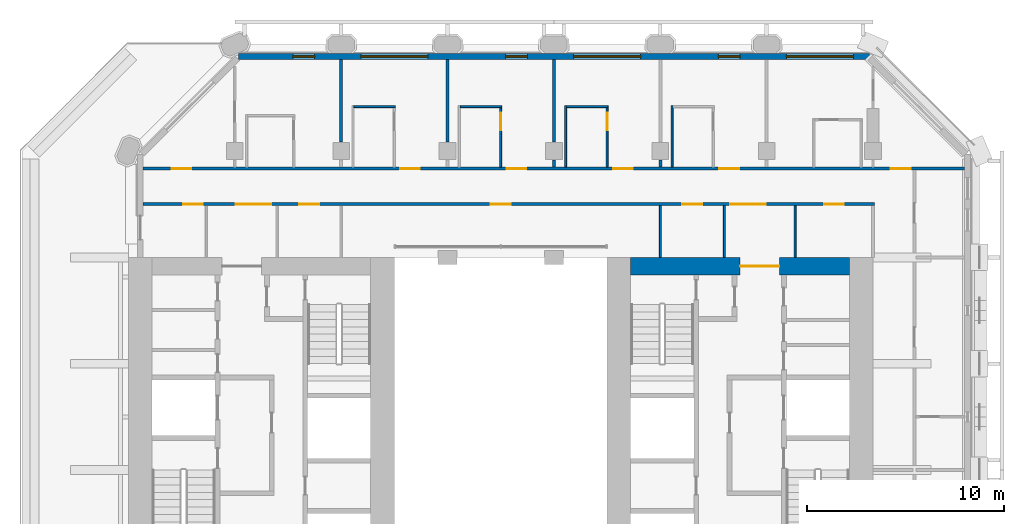
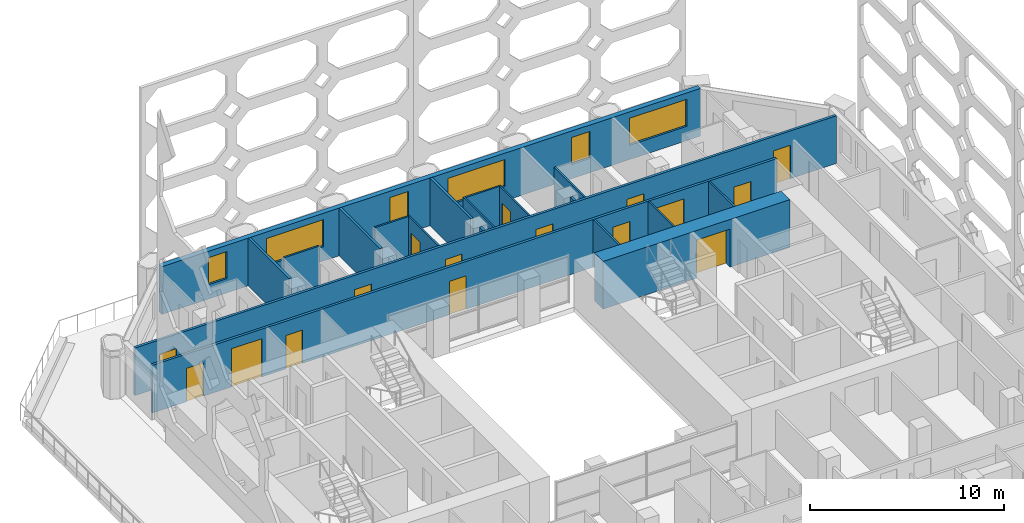
# One storey, part 11 of 16: 19 walls, 16 doors, 6 windows, 22 openings.
"""IFC4 building model written with IfcOpenShell, lengths in metres."""

from ifc_helpers import new_model, si_unit, direction, frame, frame_2d, origin, place, context, subcontext, project, spatial, rectangle, extrude, material, layer, layer_set, type_object, element, fill, save


model = new_model("IFC4")

# Units and contexts
model_context = context("Model", 3, precision=1e-05, world=origin(), true_north=direction((0.0, 1.0)))
body_context = subcontext(model_context, "Body", "Model", "MODEL_VIEW")
ifc_project = project(units=[si_unit("LENGTHUNIT", "METRE"), si_unit("AREAUNIT", "SQUARE_METRE"), si_unit("VOLUMEUNIT", "CUBIC_METRE"), si_unit("PLANEANGLEUNIT", "RADIAN"), si_unit("MASSUNIT", "GRAM", prefix="KILO")], contexts=[model_context])

# Site, building, storey
site_placement = place(None, origin())
site = spatial("IfcSite", under=ifc_project, at=site_placement, CompositionType="ELEMENT")
building_placement = place(site_placement, origin())
building = spatial("IfcBuilding", under=site, at=building_placement, Name="Tabaq Tower and Sports Hall", CompositionType="ELEMENT")
storey_placement = place(building_placement, frame((0.0, 0.0, 152.800048828125)))
storey = spatial("IfcBuildingStorey", under=building, at=storey_placement, Name="L35", CompositionType="ELEMENT", Elevation=152.800048828125)

# Wall, opening, door
ifc_material_1 = material(Name="Concrete C50/60", Category="concrete")
ifc_layer_1 = layer(ifc_material_1, 0.89990234375)
ifc_layer_set_1 = layer_set([ifc_layer_1], Name="Core wall 900 Concrete C50/60")
wall_type_1 = type_object("IfcWallType", Name="Core wall 900 Concrete C50/60", PredefinedType="SOLIDWALL", material=ifc_layer_set_1)
wall_1_placement = place(storey_placement, frame((30.89990234375, 31.949951171875, 0.0), z_axis=(0.0, 0.0, 1.0), x_axis=(1.0, 0.0, 0.0)))
wall_1 = element("IfcWall", 1, at=wall_1_placement, inside=storey, type_object=wall_type_1, Name="Core wall E L35", PredefinedType="SOLIDWALL", context=body_context, shape_type="SweptSolid", body=[
    extrude(rectangle(XDim=11.10009765625, YDim=0.89990234375, at=frame_2d((5.550048828125, 0.0))), origin(), (0.0, 0.0, 1.0), 3.0),
])
opening_1_placement = place(wall_1_placement, frame((5.550048828125, 0.0, 0.0)))
opening_1 = element("IfcOpeningElement", 2, at=opening_1_placement, cuts=wall_1, Name="Opening PD-EL35-02", PredefinedType="OPENING", context=body_context, shape_type="SweptSolid", body=[
    extrude(rectangle(XDim=2.0, YDim=2.39990234375, at=frame_2d((1.0, 1.199951171875))), frame((0.0, 0.449951171875, 0.0), z_axis=(0.0, -1.0, 0.0), x_axis=(1.0, 0.0, 0.0)), (0.0, 0.0, 1.0), 0.89990234375),
])
ifc_material_2 = material(Name="Steel fire door", Category="steel")
door_type_1 = type_object("IfcDoorType", Name="Core entrance door 2000", OperationType="DOUBLE_DOOR_SINGLE_SWING", PredefinedType="DOOR", material=ifc_material_2)
door_1_placement = place(opening_1_placement, origin())
door_1 = element("IfcDoor", 3, at=door_1_placement, inside=storey, type_object=door_type_1, Name="Core entrance north E L35", OperationType="DOUBLE_DOOR_SINGLE_SWING", OverallHeight=2.39990234375, OverallWidth=2.0, PredefinedType="DOOR", context=body_context, shape_type="SweptSolid", body=[
    extrude(rectangle(XDim=2.0, YDim=2.39990234375, at=frame_2d((1.0, 1.199951171875))), frame((0.0, 0.02490234375, 0.0), z_axis=(0.0, -1.0, 0.0), x_axis=(1.0, 0.0, 0.0)), (0.0, 0.0, 1.0), 0.050048828125),
])
fill(opening_1, door_1)

# Walls
ifc_material_3 = material(Name="Gypsum board on steel studs", Category="steel")
ifc_layer_2 = layer(ifc_material_3, 0.10009765625)
ifc_layer_set_2 = layer_set([ifc_layer_2], Name="Partition 100 Gypsum board")
wall_type_2 = type_object("IfcWallType", Name="Partition 100 Gypsum board", PredefinedType="PARTITIONING", material=ifc_layer_set_2)
wall_2_placement = place(storey_placement, frame((16.85009765625, 40.050048828125, 0.0), z_axis=(0.0, 0.0, 1.0), x_axis=(1.0, 0.0, 0.0)))
element("IfcWall", 4, at=wall_2_placement, inside=storey, type_object=wall_type_2, Name="Partition wall L35", PredefinedType="PARTITIONING", context=body_context, shape_type="SweptSolid", body=[
    extrude(rectangle(XDim=2.099853515625, YDim=0.10009765625, at=frame_2d((1.0498046875, 0.0))), origin(), (0.0, 0.0, 1.0), 3.0),
])
wall_3_placement = place(storey_placement, frame((22.25, 40.050048828125, 0.0), z_axis=(0.0, 0.0, 1.0), x_axis=(1.0, 0.0, 0.0)))
element("IfcWall", 5, at=wall_3_placement, inside=storey, type_object=wall_type_2, Name="Partition wall L35", PredefinedType="PARTITIONING", context=body_context, shape_type="SweptSolid", body=[
    extrude(rectangle(XDim=2.10009765625, YDim=0.10009765625, at=frame_2d((1.050048828125, 0.0))), origin(), (0.0, 0.0, 1.0), 3.0),
])

# Wall, opening, door
wall_4_placement = place(storey_placement, frame((24.300048828125, 40.0, 0.0), z_axis=(0.0, 0.0, 1.0), x_axis=(0.0, -1.0, 0.0)))
wall_4 = element("IfcWall", 6, at=wall_4_placement, inside=storey, type_object=wall_type_2, Name="Partition wall L35", PredefinedType="PARTITIONING", context=body_context, shape_type="SweptSolid", body=[
    extrude(rectangle(XDim=3.02490234375, YDim=0.10009765625, at=frame_2d((1.512451171875, 0.0))), origin(), (0.0, 0.0, 1.0), 3.0),
])
opening_2_placement = place(wall_4_placement, frame((0.25, 0.0, 0.0)))
opening_2 = element("IfcOpeningElement", 7, at=opening_2_placement, cuts=wall_4, Name="Opening L35-004", PredefinedType="OPENING", context=body_context, shape_type="SweptSolid", body=[
    extrude(rectangle(XDim=0.89990234375, YDim=2.10009765625, at=frame_2d((0.449951171875, 1.050048828125))), frame((0.0, 0.050048828125, 0.0), z_axis=(0.0, -1.0, 0.0), x_axis=(1.0, 0.0, 0.0)), (0.0, 0.0, 1.0), 0.10009765625),
])
ifc_material_4 = material(Name="Timber leaf in steel frame", Category="steel")
door_type_2 = type_object("IfcDoorType", Name="Internal door 900 right hand", OperationType="SINGLE_SWING_RIGHT", PredefinedType="DOOR", material=ifc_material_4)
door_2_placement = place(opening_2_placement, origin())
door_2 = element("IfcDoor", 8, at=door_2_placement, inside=storey, type_object=door_type_2, Name="Internal door L35-004", OperationType="SINGLE_SWING_RIGHT", OverallHeight=2.10009765625, OverallWidth=0.89990234375, PredefinedType="DOOR", context=body_context, shape_type="SweptSolid", body=[
    extrude(rectangle(XDim=0.89990234375, YDim=2.10009765625, at=frame_2d((0.449951171875, 1.050048828125))), frame((0.0, 0.02490234375, 0.0), z_axis=(0.0, -1.0, 0.0), x_axis=(1.0, 0.0, 0.0)), (0.0, 0.0, 1.0), 0.050048828125),
])
fill(opening_2, door_2)

# Walls
wall_5_placement = place(storey_placement, frame((27.60009765625, 36.97509765625, 0.0), z_axis=(0.0, 0.0, 1.0), x_axis=(0.0, 1.0, 0.0)))
element("IfcWall", 9, at=wall_5_placement, inside=storey, type_object=wall_type_2, Name="Partition wall L35", PredefinedType="PARTITIONING", context=body_context, shape_type="SweptSolid", body=[
    extrude(rectangle(XDim=3.125, YDim=0.10009765625, at=frame_2d((1.5625, 0.0))), origin(), (0.0, 0.0, 1.0), 3.0),
])
wall_6_placement = place(storey_placement, frame((27.64990234375, 40.050048828125, 0.0), z_axis=(0.0, 0.0, 1.0), x_axis=(1.0, 0.0, 0.0)))
element("IfcWall", 10, at=wall_6_placement, inside=storey, type_object=wall_type_2, Name="Partition wall L35", PredefinedType="PARTITIONING", context=body_context, shape_type="SweptSolid", body=[
    extrude(rectangle(XDim=2.10009765625, YDim=0.10009765625, at=frame_2d((1.050048828125, 0.0))), origin(), (0.0, 0.0, 1.0), 3.0),
])

# Wall, opening, door
wall_7_placement = place(storey_placement, frame((29.699951171875, 40.0, 0.0), z_axis=(0.0, 0.0, 1.0), x_axis=(0.0, -1.0, 0.0)))
wall_7 = element("IfcWall", 11, at=wall_7_placement, inside=storey, type_object=wall_type_2, Name="Partition wall L35", PredefinedType="PARTITIONING", context=body_context, shape_type="SweptSolid", body=[
    extrude(rectangle(XDim=3.02490234375, YDim=0.10009765625, at=frame_2d((1.512451171875, 0.0))), origin(), (0.0, 0.0, 1.0), 3.0),
])
opening_3_placement = place(wall_7_placement, frame((0.25, 0.0, 0.0)))
opening_3 = element("IfcOpeningElement", 12, at=opening_3_placement, cuts=wall_7, Name="Opening L35-005", PredefinedType="OPENING", context=body_context, shape_type="SweptSolid", body=[
    extrude(rectangle(XDim=0.89990234375, YDim=2.10009765625, at=frame_2d((0.449951171875, 1.050048828125))), frame((0.0, 0.050048828125, 0.0), z_axis=(0.0, -1.0, 0.0), x_axis=(1.0, 0.0, 0.0)), (0.0, 0.0, 1.0), 0.10009765625),
])
door_3_placement = place(opening_3_placement, origin())
door_3 = element("IfcDoor", 13, at=door_3_placement, inside=storey, type_object=door_type_2, Name="Internal door L35-005", OperationType="SINGLE_SWING_RIGHT", OverallHeight=2.10009765625, OverallWidth=0.89990234375, PredefinedType="DOOR", context=body_context, shape_type="SweptSolid", body=[
    extrude(rectangle(XDim=0.89990234375, YDim=2.10009765625, at=frame_2d((0.449951171875, 1.050048828125))), frame((0.0, 0.02490234375, 0.0), z_axis=(0.0, -1.0, 0.0), x_axis=(1.0, 0.0, 0.0)), (0.0, 0.0, 1.0), 0.050048828125),
])
fill(opening_3, door_3)

# Walls
wall_8_placement = place(storey_placement, frame((33.0, 36.97509765625, 0.0), z_axis=(0.0, 0.0, 1.0), x_axis=(0.0, 1.0, 0.0)))
element("IfcWall", 14, at=wall_8_placement, inside=storey, type_object=wall_type_2, Name="Partition wall L35", PredefinedType="PARTITIONING", context=body_context, shape_type="SweptSolid", body=[
    extrude(rectangle(XDim=3.125, YDim=0.10009765625, at=frame_2d((1.5625, 0.0))), origin(), (0.0, 0.0, 1.0), 3.0),
])
for number, where, z_axis, x_axis, name in (
    (15, (32.39990234375, 32.39990234375, 0.0), (0.0, 0.0, 1.0), (0.0, 1.0, 0.0), "Partition wall L35"),
    (16, (39.25, 32.39990234375, 0.0), (0.0, 0.0, 1.0), (0.0, 1.0, 0.0), "Partition wall L35"),
    (17, (35.64990234375, 35.02490234375, 0.0), (0.0, 0.0, 1.0), (0.0, -1.0, 0.0), "Partition wall L35"),
):
    element("IfcWall", number, at=place(storey_placement, frame(where, z_axis=z_axis, x_axis=x_axis)), inside=storey, type_object=wall_type_2, Name=name, PredefinedType="PARTITIONING", context=body_context, shape_type="SweptSolid", body=[
        extrude(rectangle(XDim=2.625, YDim=0.10009765625, at=frame_2d((1.3125, 0.0))), origin(), (0.0, 0.0, 1.0), 3.0),
    ])
ifc_material_5 = material(Name="Blockwork", Category="masonry")
ifc_layer_3 = layer(ifc_material_5, 0.14990234375)
ifc_layer_set_3 = layer_set([ifc_layer_3], Name="Separating wall 150 Blockwork")
wall_type_3 = type_object("IfcWallType", Name="Separating wall 150 Blockwork", PredefinedType="PARTITIONING", material=ifc_layer_set_3)
for number, where, z_axis, x_axis, name in (
    (18, (16.199951171875, 38.2451171875, 0.0), (0.0, 0.0, 1.0), (0.0, 1.0, 0.0), "Separating wall L35"),
    (19, (21.60009765625, 38.2451171875, 0.0), (0.0, 0.0, 1.0), (0.0, 1.0, 0.0), "Separating wall L35"),
):
    element("IfcWall", number, at=place(storey_placement, frame(where, z_axis=z_axis, x_axis=x_axis)), inside=storey, type_object=wall_type_3, Name=name, PredefinedType="PARTITIONING", context=body_context, shape_type="SweptSolid", body=[
        extrude(rectangle(XDim=4.203857421875, YDim=0.14990234375, at=frame_2d((2.10205078125, 0.0))), origin(), (0.0, 0.0, 1.0), 3.0),
    ])
wall_9_placement = place(storey_placement, frame((27.0, 36.97509765625, 0.0), z_axis=(0.0, 0.0, 1.0), x_axis=(0.0, 1.0, 0.0)))
element("IfcWall", 20, at=wall_9_placement, inside=storey, type_object=wall_type_3, Name="Separating wall L35", PredefinedType="PARTITIONING", context=body_context, shape_type="SweptSolid", body=[
    extrude(rectangle(XDim=0.3798828125, YDim=0.14990234375, at=frame_2d((0.18994140625, 0.0))), origin(), (0.0, 0.0, 1.0), 3.0),
])
wall_10_placement = place(storey_placement, frame((27.0, 38.2451171875, 0.0), z_axis=(0.0, 0.0, 1.0), x_axis=(0.0, 1.0, 0.0)))
element("IfcWall", 21, at=wall_10_placement, inside=storey, type_object=wall_type_3, Name="Separating wall L35", PredefinedType="PARTITIONING", context=body_context, shape_type="SweptSolid", body=[
    extrude(rectangle(XDim=4.203857421875, YDim=0.14990234375, at=frame_2d((2.10205078125, 0.0))), origin(), (0.0, 0.0, 1.0), 3.0),
])
wall_11_placement = place(storey_placement, frame((32.39990234375, 36.97509765625, 0.0), z_axis=(0.0, 0.0, 1.0), x_axis=(0.0, 1.0, 0.0)))
element("IfcWall", 22, at=wall_11_placement, inside=storey, type_object=wall_type_3, Name="Separating wall L35", PredefinedType="PARTITIONING", context=body_context, shape_type="SweptSolid", body=[
    extrude(rectangle(XDim=0.3798828125, YDim=0.14990234375, at=frame_2d((0.18994140625, 0.0))), origin(), (0.0, 0.0, 1.0), 3.0),
])

# Wall, openings, doors
wall_12_placement = place(storey_placement, frame((47.84912109375, 36.89990234375, 0.0), z_axis=(0.0, 0.0, 1.0), x_axis=(-1.0, 0.0, 0.0)))
wall_12 = element("IfcWall", 23, at=wall_12_placement, inside=storey, type_object=wall_type_3, Name="Separating wall L35", PredefinedType="PARTITIONING", context=body_context, shape_type="SweptSolid", body=[
    extrude(rectangle(XDim=41.6982421875, YDim=0.14990234375, at=frame_2d((20.84912109375, 0.0))), origin(), (0.0, 0.0, 1.0), 3.0),
])
opening_4_placement = place(wall_12_placement, frame((27.64892578125, 0.0, 0.0)))
opening_4 = element("IfcOpeningElement", 24, at=opening_4_placement, cuts=wall_12, Name="Opening L35-030", PredefinedType="OPENING", context=body_context, shape_type="SweptSolid", body=[
    extrude(rectangle(XDim=1.0, YDim=2.10009765625, at=frame_2d((0.5, 1.050048828125))), frame((0.0, 0.074951171875, 0.0), z_axis=(0.0, -1.0, 0.0), x_axis=(1.0, 0.0, 0.0)), (0.0, 0.0, 1.0), 0.14990234375),
])
opening_5_placement = place(wall_12_placement, frame((22.2490234375, 0.0, 0.0)))
opening_5 = element("IfcOpeningElement", 25, at=opening_5_placement, cuts=wall_12, Name="Opening L35-031", PredefinedType="OPENING", context=body_context, shape_type="SweptSolid", body=[
    extrude(rectangle(XDim=1.0, YDim=2.10009765625, at=frame_2d((0.5, 1.050048828125))), frame((0.0, 0.074951171875, 0.0), z_axis=(0.0, -1.0, 0.0), x_axis=(1.0, 0.0, 0.0)), (0.0, 0.0, 1.0), 0.14990234375),
])
opening_6_placement = place(wall_12_placement, frame((16.84912109375, 0.0, 0.0)))
opening_6 = element("IfcOpeningElement", 26, at=opening_6_placement, cuts=wall_12, Name="Opening L35-032", PredefinedType="OPENING", context=body_context, shape_type="SweptSolid", body=[
    extrude(rectangle(XDim=1.0, YDim=2.10009765625, at=frame_2d((0.5, 1.050048828125))), frame((0.0, 0.074951171875, 0.0), z_axis=(0.0, -1.0, 0.0), x_axis=(1.0, 0.0, 0.0)), (0.0, 0.0, 1.0), 0.14990234375),
])
opening_7_placement = place(wall_12_placement, frame((11.448974609375, 0.0, 0.0)))
opening_7 = element("IfcOpeningElement", 27, at=opening_7_placement, cuts=wall_12, Name="Opening L35-033", PredefinedType="OPENING", context=body_context, shape_type="SweptSolid", body=[
    extrude(rectangle(XDim=1.0, YDim=2.10009765625, at=frame_2d((0.5, 1.050048828125))), frame((0.0, 0.074951171875, 0.0), z_axis=(0.0, -1.0, 0.0), x_axis=(1.0, 0.0, 0.0)), (0.0, 0.0, 1.0), 0.14990234375),
])
opening_8_placement = place(wall_12_placement, frame((2.743896484375, 0.0, 0.0)))
opening_8 = element("IfcOpeningElement", 28, at=opening_8_placement, cuts=wall_12, Name="Opening L35-035", PredefinedType="OPENING", context=body_context, shape_type="SweptSolid", body=[
    extrude(rectangle(XDim=1.0, YDim=2.10009765625, at=frame_2d((0.5, 1.050048828125))), frame((0.0, 0.074951171875, 0.0), z_axis=(0.0, -1.0, 0.0), x_axis=(1.0, 0.0, 0.0)), (0.0, 0.0, 1.0), 0.14990234375),
])
opening_9_placement = place(wall_12_placement, frame((39.2490234375, 0.0, 0.0)))
opening_9 = element("IfcOpeningElement", 29, at=opening_9_placement, cuts=wall_12, Name="Opening L35-054", PredefinedType="OPENING", context=body_context, shape_type="SweptSolid", body=[
    extrude(rectangle(XDim=1.0, YDim=2.10009765625, at=frame_2d((0.5, 1.050048828125))), frame((0.0, 0.074951171875, 0.0), z_axis=(0.0, -1.0, 0.0), x_axis=(1.0, 0.0, 0.0)), (0.0, 0.0, 1.0), 0.14990234375),
])
ifc_material_6 = material(Name="Steel fire door", Category="steel")
door_type_3 = type_object("IfcDoorType", Name="Entrance door 1000 left hand", OperationType="SINGLE_SWING_LEFT", PredefinedType="DOOR", material=ifc_material_6)
door_4_placement = place(opening_6_placement, origin())
door_4 = element("IfcDoor", 30, at=door_4_placement, inside=storey, type_object=door_type_3, Name="Entrance door L35-032", OperationType="SINGLE_SWING_LEFT", OverallHeight=2.10009765625, OverallWidth=1.0, PredefinedType="DOOR", context=body_context, shape_type="SweptSolid", body=[
    extrude(rectangle(XDim=1.0, YDim=2.10009765625, at=frame_2d((0.5, 1.050048828125))), frame((0.0, 0.02490234375, 0.0), z_axis=(0.0, -1.0, 0.0), x_axis=(1.0, 0.0, 0.0)), (0.0, 0.0, 1.0), 0.050048828125),
])
fill(opening_6, door_4)
door_5_placement = place(opening_7_placement, origin())
door_5 = element("IfcDoor", 31, at=door_5_placement, inside=storey, type_object=door_type_3, Name="Entrance door L35-033", OperationType="SINGLE_SWING_LEFT", OverallHeight=2.10009765625, OverallWidth=1.0, PredefinedType="DOOR", context=body_context, shape_type="SweptSolid", body=[
    extrude(rectangle(XDim=1.0, YDim=2.10009765625, at=frame_2d((0.5, 1.050048828125))), frame((0.0, 0.02490234375, 0.0), z_axis=(0.0, -1.0, 0.0), x_axis=(1.0, 0.0, 0.0)), (0.0, 0.0, 1.0), 0.050048828125),
])
fill(opening_7, door_5)
door_6_placement = place(opening_8_placement, origin())
door_6 = element("IfcDoor", 32, at=door_6_placement, inside=storey, type_object=door_type_3, Name="Entrance door L35-035", OperationType="SINGLE_SWING_LEFT", OverallHeight=2.10009765625, OverallWidth=1.0, PredefinedType="DOOR", context=body_context, shape_type="SweptSolid", body=[
    extrude(rectangle(XDim=1.0, YDim=2.10009765625, at=frame_2d((0.5, 1.050048828125))), frame((0.0, 0.02490234375, 0.0), z_axis=(0.0, -1.0, 0.0), x_axis=(1.0, 0.0, 0.0)), (0.0, 0.0, 1.0), 0.050048828125),
])
fill(opening_8, door_6)
ifc_material_7 = material(Name="Steel fire door", Category="steel")
door_type_4 = type_object("IfcDoorType", Name="Entrance door 1000 right hand", OperationType="SINGLE_SWING_RIGHT", PredefinedType="DOOR", material=ifc_material_7)
door_7_placement = place(opening_4_placement, origin())
door_7 = element("IfcDoor", 33, at=door_7_placement, inside=storey, type_object=door_type_4, Name="Entrance door L35-030", OperationType="SINGLE_SWING_RIGHT", OverallHeight=2.10009765625, OverallWidth=1.0, PredefinedType="DOOR", context=body_context, shape_type="SweptSolid", body=[
    extrude(rectangle(XDim=1.0, YDim=2.10009765625, at=frame_2d((0.5, 1.050048828125))), frame((0.0, 0.02490234375, 0.0), z_axis=(0.0, -1.0, 0.0), x_axis=(1.0, 0.0, 0.0)), (0.0, 0.0, 1.0), 0.050048828125),
])
fill(opening_4, door_7)
door_8_placement = place(opening_5_placement, origin())
door_8 = element("IfcDoor", 34, at=door_8_placement, inside=storey, type_object=door_type_4, Name="Entrance door L35-031", OperationType="SINGLE_SWING_RIGHT", OverallHeight=2.10009765625, OverallWidth=1.0, PredefinedType="DOOR", context=body_context, shape_type="SweptSolid", body=[
    extrude(rectangle(XDim=1.0, YDim=2.10009765625, at=frame_2d((0.5, 1.050048828125))), frame((0.0, 0.02490234375, 0.0), z_axis=(0.0, -1.0, 0.0), x_axis=(1.0, 0.0, 0.0)), (0.0, 0.0, 1.0), 0.050048828125),
])
fill(opening_5, door_8)
door_9_placement = place(opening_9_placement, origin())
door_9 = element("IfcDoor", 35, at=door_9_placement, inside=storey, type_object=door_type_4, Name="Entrance door L35-054", OperationType="SINGLE_SWING_RIGHT", OverallHeight=2.10009765625, OverallWidth=1.0, PredefinedType="DOOR", context=body_context, shape_type="SweptSolid", body=[
    extrude(rectangle(XDim=1.0, YDim=2.10009765625, at=frame_2d((0.5, 1.050048828125))), frame((0.0, 0.02490234375, 0.0), z_axis=(0.0, -1.0, 0.0), x_axis=(1.0, 0.0, 0.0)), (0.0, 0.0, 1.0), 0.050048828125),
])
fill(opening_9, door_9)

wall_13_placement = place(storey_placement, frame((43.27490234375, 35.10009765625, 0.0), z_axis=(0.0, 0.0, 1.0), x_axis=(-1.0, 0.0, 0.0)))
wall_13 = element("IfcWall", 36, at=wall_13_placement, inside=storey, type_object=wall_type_3, Name="Separating wall L35", PredefinedType="PARTITIONING", context=body_context, shape_type="SweptSolid", body=[
    extrude(rectangle(XDim=37.1240234375, YDim=0.14990234375, at=frame_2d((18.56201171875, 0.0))), origin(), (0.0, 0.0, 1.0), 3.0),
])
opening_10_placement = place(wall_13_placement, frame((18.47509765625, 0.0, 0.0)))
opening_10 = element("IfcOpeningElement", 37, at=opening_10_placement, cuts=wall_13, Name="Opening L35-008", PredefinedType="OPENING", context=body_context, shape_type="SweptSolid", body=[
    extrude(rectangle(XDim=1.0, YDim=2.10009765625, at=frame_2d((0.5, 1.050048828125))), frame((0.0, 0.074951171875, 0.0), z_axis=(0.0, -1.0, 0.0), x_axis=(1.0, 0.0, 0.0)), (0.0, 0.0, 1.0), 0.14990234375),
])
opening_11_placement = place(wall_13_placement, frame((34.094970703125, 0.0, 0.0)))
opening_11 = element("IfcOpeningElement", 38, at=opening_11_placement, cuts=wall_13, Name="Opening L35-010", PredefinedType="OPENING", context=body_context, shape_type="SweptSolid", body=[
    extrude(rectangle(XDim=1.0, YDim=2.10009765625, at=frame_2d((0.5, 1.050048828125))), frame((0.0, 0.074951171875, 0.0), z_axis=(0.0, -1.0, 0.0), x_axis=(1.0, 0.0, 0.0)), (0.0, 0.0, 1.0), 0.14990234375),
])
opening_12_placement = place(wall_13_placement, frame((8.75, 0.0, 0.0)))
opening_12 = element("IfcOpeningElement", 39, at=opening_12_placement, cuts=wall_13, Name="Opening L35-011", PredefinedType="OPENING", context=body_context, shape_type="SweptSolid", body=[
    extrude(rectangle(XDim=1.0, YDim=2.10009765625, at=frame_2d((0.5, 1.050048828125))), frame((0.0, 0.074951171875, 0.0), z_axis=(0.0, -1.0, 0.0), x_axis=(1.0, 0.0, 0.0)), (0.0, 0.0, 1.0), 0.14990234375),
])
opening_13_placement = place(wall_13_placement, frame((1.550048828125, 0.0, 0.0)))
opening_13 = element("IfcOpeningElement", 40, at=opening_13_placement, cuts=wall_13, Name="Opening L35-012", PredefinedType="OPENING", context=body_context, shape_type="SweptSolid", body=[
    extrude(rectangle(XDim=1.0, YDim=2.10009765625, at=frame_2d((0.5, 1.050048828125))), frame((0.0, 0.074951171875, 0.0), z_axis=(0.0, -1.0, 0.0), x_axis=(1.0, 0.0, 0.0)), (0.0, 0.0, 1.0), 0.14990234375),
])
opening_14_placement = place(wall_13_placement, frame((28.199951171875, 0.0, 0.0)))
opening_14 = element("IfcOpeningElement", 41, at=opening_14_placement, cuts=wall_13, Name="Opening L35-013", PredefinedType="OPENING", context=body_context, shape_type="SweptSolid", body=[
    extrude(rectangle(XDim=1.0, YDim=2.10009765625, at=frame_2d((0.5, 1.050048828125))), frame((0.0, 0.074951171875, 0.0), z_axis=(0.0, -1.0, 0.0), x_axis=(1.0, 0.0, 0.0)), (0.0, 0.0, 1.0), 0.14990234375),
])
opening_15_placement = place(wall_13_placement, frame((30.625, 0.0, 0.0)))
opening_15 = element("IfcOpeningElement", 42, at=opening_15_placement, cuts=wall_13, Name="Opening L35-037", PredefinedType="OPENING", context=body_context, shape_type="SweptSolid", body=[
    extrude(rectangle(XDim=1.800048828125, YDim=2.39990234375, at=frame_2d((0.89990234375, 1.199951171875))), frame((0.0, 0.074951171875, 0.0), z_axis=(0.0, -1.0, 0.0), x_axis=(1.0, 0.0, 0.0)), (0.0, 0.0, 1.0), 0.14990234375),
])
opening_16_placement = place(wall_13_placement, frame((5.52490234375, 0.0, 0.0)))
opening_16 = element("IfcOpeningElement", 43, at=opening_16_placement, cuts=wall_13, Name="Opening L35-038", PredefinedType="OPENING", context=body_context, shape_type="SweptSolid", body=[
    extrude(rectangle(XDim=1.800048828125, YDim=2.39990234375, at=frame_2d((0.89990234375, 1.199951171875))), frame((0.0, 0.074951171875, 0.0), z_axis=(0.0, -1.0, 0.0), x_axis=(1.0, 0.0, 0.0)), (0.0, 0.0, 1.0), 0.14990234375),
])
ifc_material_8 = material(Name="Timber leaf in steel frame", Category="steel")
door_type_5 = type_object("IfcDoorType", Name="Internal door 1000 left hand", OperationType="SINGLE_SWING_LEFT", PredefinedType="DOOR", material=ifc_material_8)
door_10_placement = place(opening_11_placement, origin())
door_10 = element("IfcDoor", 44, at=door_10_placement, inside=storey, type_object=door_type_5, Name="Internal door L35-010", OperationType="SINGLE_SWING_LEFT", OverallHeight=2.10009765625, OverallWidth=1.0, PredefinedType="DOOR", context=body_context, shape_type="SweptSolid", body=[
    extrude(rectangle(XDim=1.0, YDim=2.10009765625, at=frame_2d((0.5, 1.050048828125))), frame((0.0, 0.02490234375, 0.0), z_axis=(0.0, -1.0, 0.0), x_axis=(1.0, 0.0, 0.0)), (0.0, 0.0, 1.0), 0.050048828125),
])
fill(opening_11, door_10)
door_11_placement = place(opening_12_placement, origin())
door_11 = element("IfcDoor", 45, at=door_11_placement, inside=storey, type_object=door_type_5, Name="Internal door L35-011", OperationType="SINGLE_SWING_LEFT", OverallHeight=2.10009765625, OverallWidth=1.0, PredefinedType="DOOR", context=body_context, shape_type="SweptSolid", body=[
    extrude(rectangle(XDim=1.0, YDim=2.10009765625, at=frame_2d((0.5, 1.050048828125))), frame((0.0, 0.02490234375, 0.0), z_axis=(0.0, -1.0, 0.0), x_axis=(1.0, 0.0, 0.0)), (0.0, 0.0, 1.0), 0.050048828125),
])
fill(opening_12, door_11)
ifc_material_9 = material(Name="Timber leaf in steel frame", Category="steel")
door_type_6 = type_object("IfcDoorType", Name="Internal door 1000 right hand", OperationType="SINGLE_SWING_RIGHT", PredefinedType="DOOR", material=ifc_material_9)
door_12_placement = place(opening_10_placement, origin())
door_12 = element("IfcDoor", 46, at=door_12_placement, inside=storey, type_object=door_type_6, Name="Internal door L35-008", OperationType="SINGLE_SWING_RIGHT", OverallHeight=2.10009765625, OverallWidth=1.0, PredefinedType="DOOR", context=body_context, shape_type="SweptSolid", body=[
    extrude(rectangle(XDim=1.0, YDim=2.10009765625, at=frame_2d((0.5, 1.050048828125))), frame((0.0, 0.02490234375, 0.0), z_axis=(0.0, -1.0, 0.0), x_axis=(1.0, 0.0, 0.0)), (0.0, 0.0, 1.0), 0.050048828125),
])
fill(opening_10, door_12)
door_13_placement = place(opening_13_placement, origin())
door_13 = element("IfcDoor", 47, at=door_13_placement, inside=storey, type_object=door_type_6, Name="Internal door L35-012", OperationType="SINGLE_SWING_RIGHT", OverallHeight=2.10009765625, OverallWidth=1.0, PredefinedType="DOOR", context=body_context, shape_type="SweptSolid", body=[
    extrude(rectangle(XDim=1.0, YDim=2.10009765625, at=frame_2d((0.5, 1.050048828125))), frame((0.0, 0.02490234375, 0.0), z_axis=(0.0, -1.0, 0.0), x_axis=(1.0, 0.0, 0.0)), (0.0, 0.0, 1.0), 0.050048828125),
])
fill(opening_13, door_13)
door_14_placement = place(opening_14_placement, origin())
door_14 = element("IfcDoor", 48, at=door_14_placement, inside=storey, type_object=door_type_6, Name="Internal door L35-013", OperationType="SINGLE_SWING_RIGHT", OverallHeight=2.10009765625, OverallWidth=1.0, PredefinedType="DOOR", context=body_context, shape_type="SweptSolid", body=[
    extrude(rectangle(XDim=1.0, YDim=2.10009765625, at=frame_2d((0.5, 1.050048828125))), frame((0.0, 0.02490234375, 0.0), z_axis=(0.0, -1.0, 0.0), x_axis=(1.0, 0.0, 0.0)), (0.0, 0.0, 1.0), 0.050048828125),
])
fill(opening_14, door_14)
ifc_material_10 = material(Name="Timber leaf in steel frame", Category="steel")
door_type_7 = type_object("IfcDoorType", Name="Internal door 1800", OperationType="DOUBLE_DOOR_SINGLE_SWING", PredefinedType="DOOR", material=ifc_material_10)
door_15_placement = place(opening_15_placement, origin())
door_15 = element("IfcDoor", 49, at=door_15_placement, inside=storey, type_object=door_type_7, Name="Internal door L35-037", OperationType="DOUBLE_DOOR_SINGLE_SWING", OverallHeight=2.39990234375, OverallWidth=1.800048828125, PredefinedType="DOOR", context=body_context, shape_type="SweptSolid", body=[
    extrude(rectangle(XDim=1.800048828125, YDim=2.39990234375, at=frame_2d((0.89990234375, 1.199951171875))), frame((0.0, 0.02490234375, 0.0), z_axis=(0.0, -1.0, 0.0), x_axis=(1.0, 0.0, 0.0)), (0.0, 0.0, 1.0), 0.050048828125),
])
fill(opening_15, door_15)
door_16_placement = place(opening_16_placement, origin())
door_16 = element("IfcDoor", 50, at=door_16_placement, inside=storey, type_object=door_type_7, Name="Internal door L35-038", OperationType="DOUBLE_DOOR_SINGLE_SWING", OverallHeight=2.39990234375, OverallWidth=1.800048828125, PredefinedType="DOOR", context=body_context, shape_type="SweptSolid", body=[
    extrude(rectangle(XDim=1.800048828125, YDim=2.39990234375, at=frame_2d((0.89990234375, 1.199951171875))), frame((0.0, 0.02490234375, 0.0), z_axis=(0.0, -1.0, 0.0), x_axis=(1.0, 0.0, 0.0)), (0.0, 0.0, 1.0), 0.050048828125),
])
fill(opening_16, door_16)

# Wall, openings, windows
ifc_material_11 = material(Name="White precast concrete C60/75", Category="concrete")
ifc_layer_4 = layer(ifc_material_11, 0.300048828125)
ifc_layer_set_4 = layer_set([ifc_layer_4], Name="White precast concrete C60/75 external wall 300")
wall_type_4 = type_object("IfcWallType", Name="White precast concrete C60/75 external wall 300", PredefinedType="SOLIDWALL", material=ifc_layer_set_4)
wall_14_placement = place(storey_placement, frame((43.013671875, 42.60009765625, 0.0), z_axis=(0.0, 0.0, 1.0), x_axis=(-1.0, 0.0, 0.0)))
wall_14 = element("IfcWall", 51, at=wall_14_placement, inside=storey, type_object=wall_type_4, Name="External Wall L35 N", PredefinedType="SOLIDWALL", context=body_context, shape_type="SweptSolid", body=[
    extrude(rectangle(XDim=32.02734375, YDim=0.300048828125, at=frame_2d((16.013671875, 0.0))), origin(), (0.0, 0.0, 1.0), 3.0),
])
opening_17_placement = place(wall_14_placement, frame((0.813720703125, 0.0, 0.89990234375)))
opening_17 = element("IfcOpeningElement", 52, at=opening_17_placement, cuts=wall_14, Name="Opening W1A", PredefinedType="OPENING", context=body_context, shape_type="SweptSolid", body=[
    extrude(rectangle(XDim=3.39990234375, YDim=1.699951171875, at=frame_2d((1.699951171875, 0.85009765625))), frame((0.0, 0.16015625, 0.0), z_axis=(0.0, -1.0, 0.0), x_axis=(1.0, 0.0, 0.0)), (0.0, 0.0, 1.0), 0.320068359375),
])
opening_18_placement = place(wall_14_placement, frame((6.563720703125, 0.0, 0.89990234375)))
opening_18 = element("IfcOpeningElement", 53, at=opening_18_placement, cuts=wall_14, Name="Opening W1B", PredefinedType="OPENING", context=body_context, shape_type="SweptSolid", body=[
    extrude(rectangle(XDim=1.10009765625, YDim=1.699951171875, at=frame_2d((0.550048828125, 0.85009765625))), frame((0.0, 0.16015625, 0.0), z_axis=(0.0, -1.0, 0.0), x_axis=(1.0, 0.0, 0.0)), (0.0, 0.0, 1.0), 0.320068359375),
])
opening_19_placement = place(wall_14_placement, frame((11.613525390625, 0.0, 0.89990234375)))
opening_19 = element("IfcOpeningElement", 54, at=opening_19_placement, cuts=wall_14, Name="Opening W1A", PredefinedType="OPENING", context=body_context, shape_type="SweptSolid", body=[
    extrude(rectangle(XDim=3.39990234375, YDim=1.699951171875, at=frame_2d((1.699951171875, 0.85009765625))), frame((0.0, 0.16015625, 0.0), z_axis=(0.0, -1.0, 0.0), x_axis=(1.0, 0.0, 0.0)), (0.0, 0.0, 1.0), 0.320068359375),
])
opening_20_placement = place(wall_14_placement, frame((17.363525390625, 0.0, 0.89990234375)))
opening_20 = element("IfcOpeningElement", 55, at=opening_20_placement, cuts=wall_14, Name="Opening W1B", PredefinedType="OPENING", context=body_context, shape_type="SweptSolid", body=[
    extrude(rectangle(XDim=1.10009765625, YDim=1.699951171875, at=frame_2d((0.550048828125, 0.85009765625))), frame((0.0, 0.16015625, 0.0), z_axis=(0.0, -1.0, 0.0), x_axis=(1.0, 0.0, 0.0)), (0.0, 0.0, 1.0), 0.320068359375),
])
opening_21_placement = place(wall_14_placement, frame((22.41357421875, 0.0, 0.89990234375)))
opening_21 = element("IfcOpeningElement", 56, at=opening_21_placement, cuts=wall_14, Name="Opening W1A", PredefinedType="OPENING", context=body_context, shape_type="SweptSolid", body=[
    extrude(rectangle(XDim=3.39990234375, YDim=1.699951171875, at=frame_2d((1.699951171875, 0.85009765625))), frame((0.0, 0.16015625, 0.0), z_axis=(0.0, -1.0, 0.0), x_axis=(1.0, 0.0, 0.0)), (0.0, 0.0, 1.0), 0.320068359375),
])
opening_22_placement = place(wall_14_placement, frame((28.16357421875, 0.0, 0.89990234375)))
opening_22 = element("IfcOpeningElement", 57, at=opening_22_placement, cuts=wall_14, Name="Opening W1B", PredefinedType="OPENING", context=body_context, shape_type="SweptSolid", body=[
    extrude(rectangle(XDim=1.10009765625, YDim=1.699951171875, at=frame_2d((0.550048828125, 0.85009765625))), frame((0.0, 0.16015625, 0.0), z_axis=(0.0, -1.0, 0.0), x_axis=(1.0, 0.0, 0.0)), (0.0, 0.0, 1.0), 0.320068359375),
])
ifc_material_12 = material(Name="Aluminium framed clear glazing", Category="aluminium")
window_type_1 = type_object("IfcWindowType", Name="Window W1A", PartitioningType="SINGLE_PANEL", PredefinedType="WINDOW", material=ifc_material_12)
window_1_placement = place(opening_17_placement, origin())
window_1 = element("IfcWindow", 58, at=window_1_placement, inside=storey, type_object=window_type_1, Name="Window W1A L35", OverallHeight=1.699951171875, OverallWidth=3.39990234375, PartitioningType="SINGLE_PANEL", PredefinedType="WINDOW", context=body_context, shape_type="SweptSolid", body=[
    extrude(rectangle(XDim=3.39990234375, YDim=1.699951171875, at=frame_2d((1.699951171875, 0.85009765625))), frame((0.0, 0.030029296875, 0.0), z_axis=(0.0, -1.0, 0.0), x_axis=(1.0, 0.0, 0.0)), (0.0, 0.0, 1.0), 0.06005859375),
])
fill(opening_17, window_1)
window_2_placement = place(opening_19_placement, origin())
window_2 = element("IfcWindow", 59, at=window_2_placement, inside=storey, type_object=window_type_1, Name="Window W1A L35", OverallHeight=1.699951171875, OverallWidth=3.39990234375, PartitioningType="SINGLE_PANEL", PredefinedType="WINDOW", context=body_context, shape_type="SweptSolid", body=[
    extrude(rectangle(XDim=3.39990234375, YDim=1.699951171875, at=frame_2d((1.699951171875, 0.85009765625))), frame((0.0, 0.030029296875, 0.0), z_axis=(0.0, -1.0, 0.0), x_axis=(1.0, 0.0, 0.0)), (0.0, 0.0, 1.0), 0.06005859375),
])
fill(opening_19, window_2)
window_3_placement = place(opening_21_placement, origin())
window_3 = element("IfcWindow", 60, at=window_3_placement, inside=storey, type_object=window_type_1, Name="Window W1A L35", OverallHeight=1.699951171875, OverallWidth=3.39990234375, PartitioningType="SINGLE_PANEL", PredefinedType="WINDOW", context=body_context, shape_type="SweptSolid", body=[
    extrude(rectangle(XDim=3.39990234375, YDim=1.699951171875, at=frame_2d((1.699951171875, 0.85009765625))), frame((0.0, 0.030029296875, 0.0), z_axis=(0.0, -1.0, 0.0), x_axis=(1.0, 0.0, 0.0)), (0.0, 0.0, 1.0), 0.06005859375),
])
fill(opening_21, window_3)
ifc_material_13 = material(Name="Aluminium framed clear glazing", Category="aluminium")
window_type_2 = type_object("IfcWindowType", Name="Window W1B", PartitioningType="SINGLE_PANEL", PredefinedType="WINDOW", material=ifc_material_13)
window_4_placement = place(opening_18_placement, origin())
window_4 = element("IfcWindow", 61, at=window_4_placement, inside=storey, type_object=window_type_2, Name="Window W1B L35", OverallHeight=1.699951171875, OverallWidth=1.10009765625, PartitioningType="SINGLE_PANEL", PredefinedType="WINDOW", context=body_context, shape_type="SweptSolid", body=[
    extrude(rectangle(XDim=1.10009765625, YDim=1.699951171875, at=frame_2d((0.550048828125, 0.85009765625))), frame((0.0, 0.030029296875, 0.0), z_axis=(0.0, -1.0, 0.0), x_axis=(1.0, 0.0, 0.0)), (0.0, 0.0, 1.0), 0.06005859375),
])
fill(opening_18, window_4)
window_5_placement = place(opening_20_placement, origin())
window_5 = element("IfcWindow", 62, at=window_5_placement, inside=storey, type_object=window_type_2, Name="Window W1B L35", OverallHeight=1.699951171875, OverallWidth=1.10009765625, PartitioningType="SINGLE_PANEL", PredefinedType="WINDOW", context=body_context, shape_type="SweptSolid", body=[
    extrude(rectangle(XDim=1.10009765625, YDim=1.699951171875, at=frame_2d((0.550048828125, 0.85009765625))), frame((0.0, 0.030029296875, 0.0), z_axis=(0.0, -1.0, 0.0), x_axis=(1.0, 0.0, 0.0)), (0.0, 0.0, 1.0), 0.06005859375),
])
fill(opening_20, window_5)
window_6_placement = place(opening_22_placement, origin())
window_6 = element("IfcWindow", 63, at=window_6_placement, inside=storey, type_object=window_type_2, Name="Window W1B L35", OverallHeight=1.699951171875, OverallWidth=1.10009765625, PartitioningType="SINGLE_PANEL", PredefinedType="WINDOW", context=body_context, shape_type="SweptSolid", body=[
    extrude(rectangle(XDim=1.10009765625, YDim=1.699951171875, at=frame_2d((0.550048828125, 0.85009765625))), frame((0.0, 0.030029296875, 0.0), z_axis=(0.0, -1.0, 0.0), x_axis=(1.0, 0.0, 0.0)), (0.0, 0.0, 1.0), 0.06005859375),
])
fill(opening_22, window_6)

save(model, "model.ifc")
